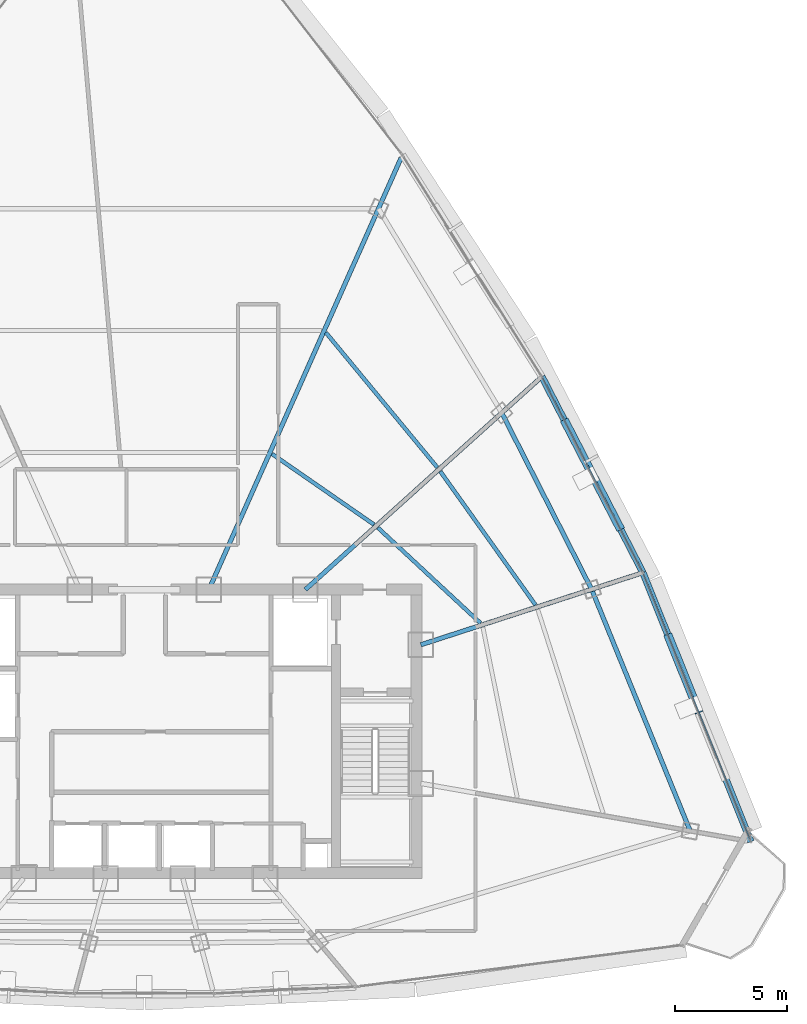
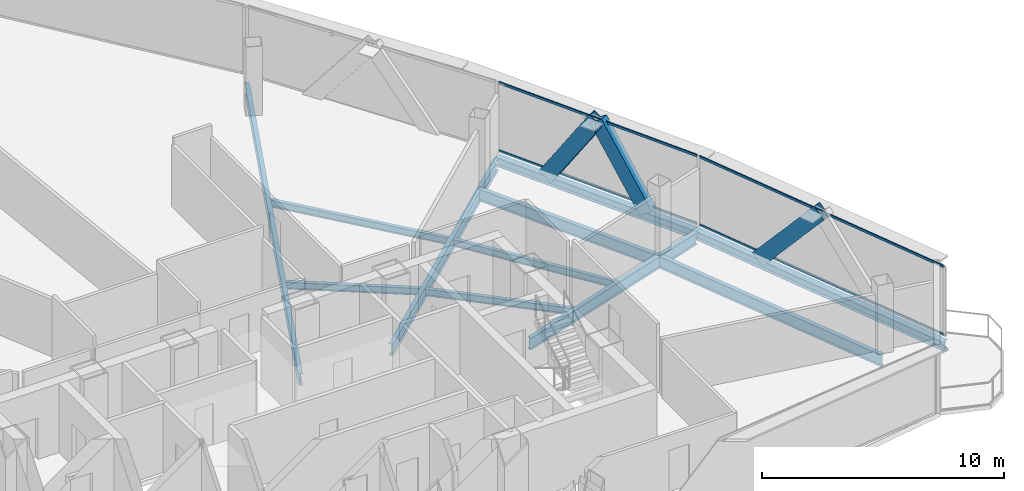
# One storey, part 14 of 30: 11 beams, 7 members, 2 elements without a shape of their own.
"""IFC4 building model written with IfcOpenShell, lengths in metres."""

from ifc_helpers import new_model, si_unit, direction, frame, origin, origin_2d, place, context, subcontext, project, spatial, hollow_rectangle, i_section, extrude, source, transform, mapped, material, layer, layer_set, material_profile, profile_set, type_object, element, aggregate, save


model = new_model("IFC4")

# Units and contexts
model_context = context("Model", 3, precision=1e-05, world=origin(), true_north=direction((0.0, 1.0)))
body_context = subcontext(model_context, "Body", "Model", "MODEL_VIEW")
ifc_project = project(units=[si_unit("LENGTHUNIT", "METRE"), si_unit("AREAUNIT", "SQUARE_METRE"), si_unit("VOLUMEUNIT", "CUBIC_METRE"), si_unit("PLANEANGLEUNIT", "RADIAN"), si_unit("MASSUNIT", "GRAM", prefix="KILO"), si_unit("THERMODYNAMICTEMPERATUREUNIT", "KELVIN"), si_unit("POWERUNIT", "WATT")], contexts=[model_context])

# Site, building, storey
site_placement = place(None, origin())
site = spatial("IfcSite", under=ifc_project, at=site_placement, CompositionType="ELEMENT")
building_placement = place(site_placement, origin())
building = spatial("IfcBuilding", under=site, at=building_placement, Name="Yunzhuo Pagoda Commons", CompositionType="ELEMENT")
storey_placement = place(building_placement, frame((0.0, 0.0, 355.510009765625)))
storey = spatial("IfcBuildingStorey", under=building, at=storey_placement, Name="L89", CompositionType="ELEMENT", Elevation=355.510009765625)

# Beams
ifc_material_1 = material(Name="Structural steel Q355B", Category="steel")
ifc_material_profile_1 = material_profile(ifc_material_1, i_section(OverallWidth=0.199951171875, OverallDepth=0.60009765625, WebThickness=0.010986328125, FlangeThickness=0.01708984375, at=origin_2d()), Name="Structural steel Q355B")
ifc_profile_set_1 = profile_set([ifc_material_profile_1], Name="Structural steel Q355B")
beam_type_1 = type_object("IfcBeamType", Name="B-RG3 Beam HN 600x200x11x17", PredefinedType="BEAM", material=ifc_profile_set_1)
shared_shape_1 = source(origin(), body_context, "Body", "SweptSolid", [
    extrude(i_section(OverallWidth=0.199951171875, OverallDepth=0.60009765625, WebThickness=0.010986328125, FlangeThickness=0.01708984375, at=origin_2d()), origin(), (0.0, 0.0, 1.0), 11.696533203125),
])
beam_1_placement = place(storey_placement, frame((72.47021484375, 29.38525390625, -0.56005859375), z_axis=(-0.377611800863, 0.925963999219, 0.0), x_axis=(-0.925963999219, -0.377611800863, 0.0)))
element("IfcBeam", 1, at=beam_1_placement, inside=storey, type_object=beam_type_1, Name="L89 column-ring beam 5", PredefinedType="BEAM", context=body_context, shape_type="MappedRepresentation", body=[
    mapped(shared_shape_1, transform((0.0, 0.0, 0.0), scale=1.0)),
])
shared_shape_2 = source(origin(), body_context, "Body", "SweptSolid", [
    extrude(i_section(OverallWidth=0.199951171875, OverallDepth=0.60009765625, WebThickness=0.010986328125, FlangeThickness=0.01708984375, at=origin_2d()), origin(), (0.0, 0.0, 1.0), 8.87939453125),
])
beam_2_placement = place(storey_placement, frame((68.053466796875, 40.2158203125, -0.56005859375), z_axis=(-0.453723535687, 0.891142498798, 0.0), x_axis=(-0.891142498798, -0.453723535687, 0.0)))
element("IfcBeam", 2, at=beam_2_placement, inside=storey, type_object=beam_type_1, Name="L89 column-ring beam 6", PredefinedType="BEAM", context=body_context, shape_type="MappedRepresentation", body=[
    mapped(shared_shape_2, transform((0.0, 0.0, 0.0), scale=1.0)),
])
ifc_material_profile_2 = material_profile(ifc_material_1, i_section(OverallWidth=0.175048828125, OverallDepth=0.35009765625, WebThickness=0.007080078125, FlangeThickness=0.010986328125, at=origin_2d()), Name="Structural steel Q355B")
ifc_profile_set_2 = profile_set([ifc_material_profile_2], Name="Structural steel Q355B")
beam_type_2 = type_object("IfcBeamType", Name="B-JS2 Joist HN 350x175x7x11", PredefinedType="JOIST", material=ifc_profile_set_2)
shared_shape_3 = source(origin(), body_context, "Body", "SweptSolid", [
    extrude(i_section(OverallWidth=0.175048828125, OverallDepth=0.35009765625, WebThickness=0.007080078125, FlangeThickness=0.010986328125, at=origin_2d()), origin(), (0.0, 0.0, 1.0), 6.277099609375),
])
beam_3_placement = place(storey_placement, frame((63.071044921875, 38.702392578125, -0.43505859375), z_axis=(-0.73244154109, 0.68082992655, 0.0), x_axis=(-0.68082992655, -0.73244154109, 0.0)))
element("IfcBeam", 3, at=beam_3_placement, inside=storey, type_object=beam_type_2, Name="L89 composite ring joist 1.6", PredefinedType="JOIST", context=body_context, shape_type="MappedRepresentation", body=[
    mapped(shared_shape_3, transform((0.0, 0.0, 0.0), scale=1.0)),
])
shared_shape_4 = source(origin(), body_context, "Body", "SweptSolid", [
    extrude(i_section(OverallWidth=0.175048828125, OverallDepth=0.35009765625, WebThickness=0.007080078125, FlangeThickness=0.010986328125, at=origin_2d()), origin(), (0.0, 0.0, 1.0), 7.347900390625),
])
beam_4_placement = place(storey_placement, frame((65.53759765625, 39.513671875, -0.43505859375), z_axis=(-0.580294898948, 0.814406428177, 0.0), x_axis=(-0.814406428177, -0.580294898948, 0.0)))
element("IfcBeam", 4, at=beam_4_placement, inside=storey, type_object=beam_type_2, Name="L89 composite ring joist 2.6", PredefinedType="JOIST", context=body_context, shape_type="MappedRepresentation", body=[
    mapped(shared_shape_4, transform((0.0, 0.0, 0.0), scale=1.0)),
])
shared_shape_5 = source(origin(), body_context, "Body", "SweptSolid", [
    extrude(i_section(OverallWidth=0.175048828125, OverallDepth=0.35009765625, WebThickness=0.007080078125, FlangeThickness=0.010986328125, at=origin_2d()), origin(), (0.0, 0.0, 1.0), 5.556640625),
])
beam_5_placement = place(storey_placement, frame((58.29443359375, 43.119873046875, -0.43505859375), z_axis=(-0.822084621883, 0.569365326011, 0.0), x_axis=(-0.569365326011, -0.822084621883, 0.0)))
element("IfcBeam", 5, at=beam_5_placement, inside=storey, type_object=beam_type_2, Name="L89 composite ring joist 1.7", PredefinedType="JOIST", context=body_context, shape_type="MappedRepresentation", body=[
    mapped(shared_shape_5, transform((0.0, 0.0, 0.0), scale=1.0)),
])
shared_shape_6 = source(origin(), body_context, "Body", "SweptSolid", [
    extrude(i_section(OverallWidth=0.175048828125, OverallDepth=0.35009765625, WebThickness=0.007080078125, FlangeThickness=0.010986328125, at=origin_2d()), origin(), (0.0, 0.0, 1.0), 7.842529296875),
])
beam_6_placement = place(storey_placement, frame((61.133544921875, 45.68017578125, -0.43505859375), z_axis=(-0.636899145749, 0.770947130577, 0.0), x_axis=(-0.770947130577, -0.636899145749, 0.0)))
element("IfcBeam", 6, at=beam_6_placement, inside=storey, type_object=beam_type_2, Name="L89 composite ring joist 2.7", PredefinedType="JOIST", context=body_context, shape_type="MappedRepresentation", body=[
    mapped(shared_shape_6, transform((0.0, 0.0, 0.0), scale=1.0)),
])
shared_shape_7 = source(origin(), body_context, "Body", "SweptSolid", [
    extrude(i_section(OverallWidth=0.199951171875, OverallDepth=0.60009765625, WebThickness=0.010986328125, FlangeThickness=0.01708984375, at=origin_2d()), origin(), (0.0, 0.0, 1.0), 10.31103515625),
])
beam_7_placement = place(storey_placement, frame((70.206298828125, 40.915283203125, -0.56005859375), z_axis=(-0.951056860321, -0.30901593557, 0.0), x_axis=(0.30901593557, -0.951056860321, 0.0)))
element("IfcBeam", 7, at=beam_7_placement, inside=storey, type_object=beam_type_1, Name="L89 radial floor girder F2C2", PredefinedType="BEAM", context=body_context, shape_type="MappedRepresentation", body=[
    mapped(shared_shape_7, transform((0.0, 0.0, 0.0), scale=1.0)),
])
shared_shape_8 = source(origin(), body_context, "Body", "SweptSolid", [
    extrude(i_section(OverallWidth=0.199951171875, OverallDepth=0.60009765625, WebThickness=0.010986328125, FlangeThickness=0.01708984375, at=origin_2d()), origin(), (0.0, 0.0, 1.0), 14.1162109375),
])
beam_8_placement = place(storey_placement, frame((65.70947265625, 49.6455078125, -0.56005859375), z_axis=(-0.743148793386, -0.669126199523, 0.0), x_axis=(0.669126199523, -0.743148793386, 0.0)))
element("IfcBeam", 8, at=beam_8_placement, inside=storey, type_object=beam_type_1, Name="L89 radial floor girder F2C3", PredefinedType="BEAM", context=body_context, shape_type="MappedRepresentation", body=[
    mapped(shared_shape_8, transform((0.0, 0.0, 0.0), scale=1.0)),
])
shared_shape_9 = source(origin(), body_context, "Body", "SweptSolid", [
    extrude(i_section(OverallWidth=0.199951171875, OverallDepth=0.60009765625, WebThickness=0.010986328125, FlangeThickness=0.01708984375, at=origin_2d()), origin(), (0.0, 0.0, 1.0), 21.180908203125),
])
beam_9_placement = place(storey_placement, frame((59.509033203125, 59.5498046875, -0.56005859375), z_axis=(-0.406731930352, -0.913547555868, 0.0), x_axis=(0.913547555868, -0.406731930352, 0.0)))
element("IfcBeam", 9, at=beam_9_placement, inside=storey, type_object=beam_type_1, Name="L89 radial floor girder F2C4", PredefinedType="BEAM", context=body_context, shape_type="MappedRepresentation", body=[
    mapped(shared_shape_9, transform((0.0, 0.0, 0.0), scale=1.0)),
])
ifc_material_profile_3 = material_profile(ifc_material_1, i_section(OverallWidth=0.300048828125, OverallDepth=0.43994140625, WebThickness=0.010986328125, FlangeThickness=0.01806640625, at=origin_2d()), Name="Structural steel Q355B")
ifc_profile_set_3 = profile_set([ifc_material_profile_3], Name="Structural steel Q355B")
beam_type_3 = type_object("IfcBeamType", Name="B-SP2 Beam HM 440x300x11x18", PredefinedType="BEAM", material=ifc_profile_set_3)
shared_shape_10 = source(origin(), body_context, "Body", "SweptSolid", [
    extrude(i_section(OverallWidth=0.300048828125, OverallDepth=0.43994140625, WebThickness=0.010986328125, FlangeThickness=0.01806640625, at=origin_2d()), origin(), (0.0, 0.0, 1.0), 12.9931640625),
])
beam_10_placement = place(storey_placement, frame((75.19384765625, 28.905029296875, -0.47998046875), z_axis=(-0.372508077286, 0.928028950172, 0.0), x_axis=(-0.928028950172, -0.372508077286, 0.0)))
element("IfcBeam", 10, at=beam_10_placement, inside=storey, type_object=beam_type_3, Name="L89 facade edge spandrel beam F2.1", PredefinedType="BEAM", context=body_context, shape_type="MappedRepresentation", body=[
    mapped(shared_shape_10, transform((0.0, 0.0, 0.0), scale=1.0)),
])
shared_shape_11 = source(origin(), body_context, "Body", "SweptSolid", [
    extrude(i_section(OverallWidth=0.300048828125, OverallDepth=0.43994140625, WebThickness=0.010986328125, FlangeThickness=0.01806640625, at=origin_2d()), origin(), (0.0, 0.0, 1.0), 9.884765625),
])
beam_11_placement = place(storey_placement, frame((70.353759765625, 40.963134765625, -0.47998046875), z_axis=(-0.458204989811, 0.888846548799, 0.0), x_axis=(-0.888846548799, -0.458204989811, 0.0)))
element("IfcBeam", 11, at=beam_11_placement, inside=storey, type_object=beam_type_3, Name="L89 facade edge spandrel beam F2.2", PredefinedType="BEAM", context=body_context, shape_type="MappedRepresentation", body=[
    mapped(shared_shape_11, transform((0.0, 0.0, 0.0), scale=1.0)),
])

# Members
ifc_material_profile_4 = material_profile(ifc_material_1, hollow_rectangle(XDim=0.3798828125, YDim=0.719970703125, WallThickness=0.02001953125, at=origin_2d()), Name="Structural steel Q355B")
ifc_profile_set_4 = profile_set([ifc_material_profile_4], Name="Structural steel Q355B")
member_type_1 = type_object("IfcMemberType", Name="M-DL3 Brace BOX 720x380x20", PredefinedType="BRACE", material=ifc_profile_set_4)
shared_shape_12 = source(origin(), body_context, "Body", "SweptSolid", [
    extrude(hollow_rectangle(XDim=0.3798828125, YDim=0.719970703125, WallThickness=0.02001953125, at=origin_2d()), origin(), (0.0, 0.0, 1.0), 4.96142578125),
])
member_1_placement = place(storey_placement, frame((71.563720703125, 37.948974609375, -0.260009765625), z_axis=(0.243871965407, -0.607662409365, 0.755825946057), x_axis=(0.928051085882, 0.372452925875, 0.0)))
element("IfcMember", 12, at=member_1_placement, inside=storey, type_object=member_type_1, Name="L89 facade diamond brace F2.1R", PredefinedType="BRACE", context=body_context, shape_type="MappedRepresentation", body=[
    mapped(shared_shape_12, transform((0.0, 0.0, 0.0), scale=1.0)),
])
shared_shape_13 = source(origin(), body_context, "Body", "SweptSolid", [
    extrude(hollow_rectangle(XDim=0.3798828125, YDim=0.719970703125, WallThickness=0.02001953125, at=origin_2d()), origin(), (0.0, 0.0, 1.0), 4.490966796875),
])
member_2_placement = place(storey_placement, frame((66.956787109375, 47.552734375, -0.260009765625), z_axis=(0.252129772471, -0.489092618138, 0.834996400422), x_axis=(0.888846548799, 0.458204989811, 0.0)))
element("IfcMember", 13, at=member_2_placement, inside=storey, type_object=member_type_1, Name="L89 facade diamond brace F2.2R", PredefinedType="BRACE", context=body_context, shape_type="MappedRepresentation", body=[
    mapped(shared_shape_13, transform((0.0, 0.0, 0.0), scale=1.0)),
])
shared_shape_14 = source(origin(), body_context, "Body", "SweptSolid", [
    extrude(hollow_rectangle(XDim=0.3798828125, YDim=0.719970703125, WallThickness=0.02001953125, at=origin_2d()), origin(), (0.0, 0.0, 1.0), 4.4912109375),
])
member_3_placement = place(storey_placement, frame((69.2216796875, 43.15966796875, -0.260009765625), z_axis=(-0.252180677425, 0.489085913944, 0.83498495478), x_axis=(-0.888806311113, -0.458283036262, 0.0)))
element("IfcMember", 14, at=member_3_placement, inside=storey, type_object=member_type_1, Name="L89 facade diamond brace F2.2L", PredefinedType="BRACE", context=body_context, shape_type="MappedRepresentation", body=[
    mapped(shared_shape_14, transform((0.0, 0.0, 0.0), scale=1.0)),
])

# Curtain wall, members
ifc_material_2 = material(Name="Anodized aluminium 6063-T6", Category="aluminium")
ifc_layer = layer(ifc_material_2, 0.139892578125)
ifc_layer_set = layer_set([ifc_layer], Name="Anodized aluminium 6063-T6")
curtain_wall_type = type_object("IfcCurtainWallType", Name="CW-HI High-Zone Ribbon Curtain Wall", PredefinedType="NOTDEFINED", material=ifc_layer_set)
curtain_wall_1_placement = place(storey_placement, origin())
curtain_wall_1 = element("IfcCurtainWall", 15, at=curtain_wall_1_placement, inside=storey, type_object=curtain_wall_type, Name="L89 curtain wall CW-L89-F2B2", PredefinedType="NOTDEFINED")
ifc_material_profile_5 = material_profile(ifc_material_2, hollow_rectangle(XDim=0.054931640625, YDim=0.1201171875, WallThickness=0.00341796875, at=origin_2d()), Name="Anodized aluminium 6063-T6")
ifc_profile_set_5 = profile_set([ifc_material_profile_5], Name="Anodized aluminium 6063-T6")
member_type_2 = type_object("IfcMemberType", Name="CW-HI-T Transom RHS 120x55x3.5", PredefinedType="USERDEFINED", material=ifc_profile_set_5)
shared_shape_15 = source(origin(), body_context, "Body", "SweptSolid", [
    extrude(hollow_rectangle(XDim=0.054931640625, YDim=0.1201171875, WallThickness=0.00341796875, at=origin_2d()), origin(), (0.0, 0.0, 1.0), 12.873046875),
])
member_4_placement = place(storey_placement, frame((75.171142578125, 28.960693359375, 0.027587890625), z_axis=(-0.372476015207, 0.928041819152, 0.0), x_axis=(-0.928041819152, -0.372476015207, 0.0)))
member_4 = element("IfcMember", 16, at=member_4_placement, type_object=member_type_2, Name="CW transom 1.1", ObjectType="TRANSOM", PredefinedType="USERDEFINED", context=body_context, shape_type="MappedRepresentation", body=[
    mapped(shared_shape_15, transform((0.0, 0.0, 0.0), scale=1.0)),
])
member_5_placement = place(storey_placement, frame((75.171142578125, 28.960693359375, 3.46240234375), z_axis=(-0.372476015207, 0.928041819152, 0.0), x_axis=(-0.928041819152, -0.372476015207, 0.0)))
member_5 = element("IfcMember", 17, at=member_5_placement, type_object=member_type_2, Name="CW transom 1.2", ObjectType="TRANSOM", PredefinedType="USERDEFINED", context=body_context, shape_type="MappedRepresentation", body=[
    mapped(shared_shape_15, transform((0.0, 0.0, 0.0), scale=1.0)),
])
aggregate(curtain_wall_1, [member_4, member_5])

curtain_wall_2_placement = place(storey_placement, origin())
curtain_wall_2 = element("IfcCurtainWall", 18, at=curtain_wall_2_placement, inside=storey, type_object=curtain_wall_type, Name="L89 curtain wall CW-L89-F2B3", PredefinedType="NOTDEFINED")
shared_shape_16 = source(origin(), body_context, "Body", "SweptSolid", [
    extrude(hollow_rectangle(XDim=0.054931640625, YDim=0.1201171875, WallThickness=0.00341796875, at=origin_2d()), origin(), (0.0, 0.0, 1.0), 9.764892578125),
])
member_6_placement = place(storey_placement, frame((70.326416015625, 41.0166015625, 0.027587890625), z_axis=(-0.458210436788, 0.888843740833, 0.0), x_axis=(-0.888843740833, -0.458210436788, 0.0)))
member_6 = element("IfcMember", 19, at=member_6_placement, type_object=member_type_2, Name="CW transom 1.1", ObjectType="TRANSOM", PredefinedType="USERDEFINED", context=body_context, shape_type="MappedRepresentation", body=[
    mapped(shared_shape_16, transform((0.0, 0.0, 0.0), scale=1.0)),
])
member_7_placement = place(storey_placement, frame((70.326416015625, 41.0166015625, 3.46240234375), z_axis=(-0.458210436788, 0.888843740833, 0.0), x_axis=(-0.888843740833, -0.458210436788, 0.0)))
member_7 = element("IfcMember", 20, at=member_7_placement, type_object=member_type_2, Name="CW transom 1.2", ObjectType="TRANSOM", PredefinedType="USERDEFINED", context=body_context, shape_type="MappedRepresentation", body=[
    mapped(shared_shape_16, transform((0.0, 0.0, 0.0), scale=1.0)),
])
aggregate(curtain_wall_2, [member_6, member_7])

save(model, "model.ifc")
